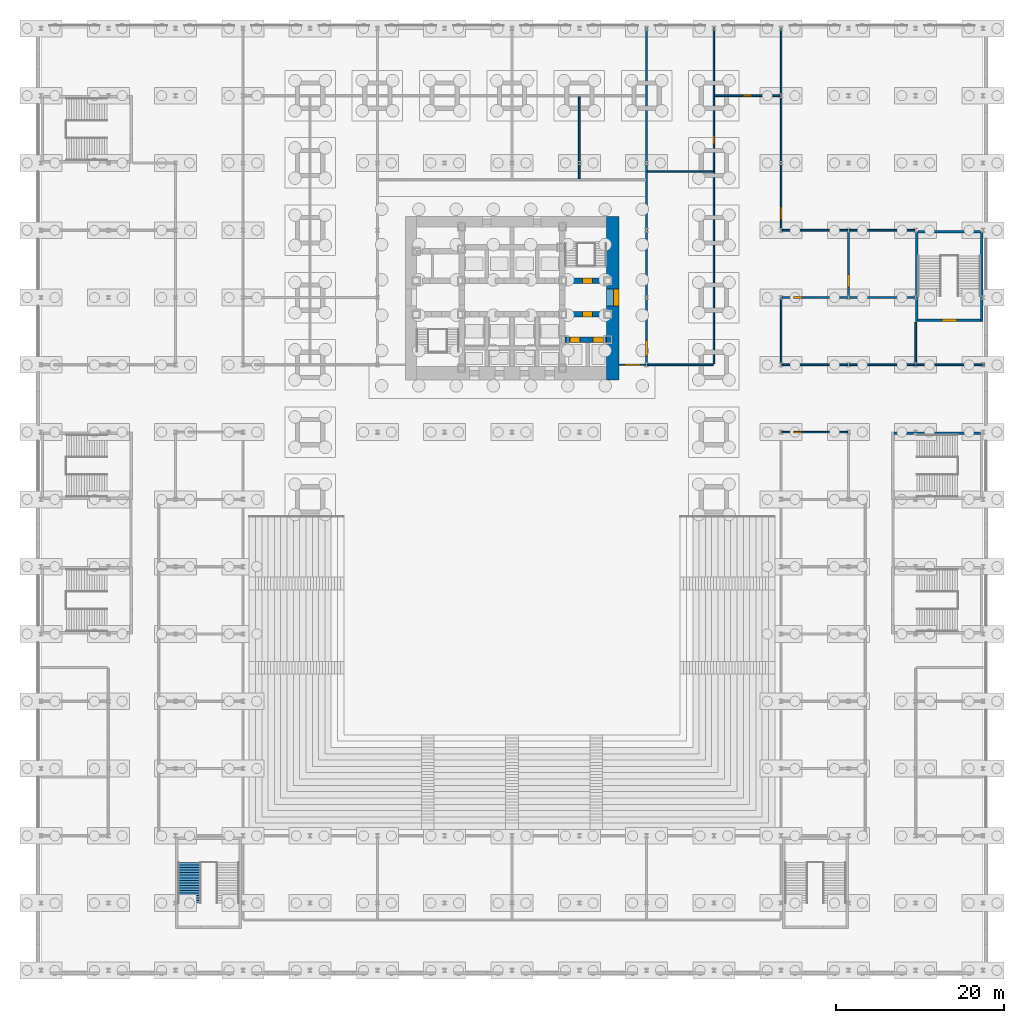
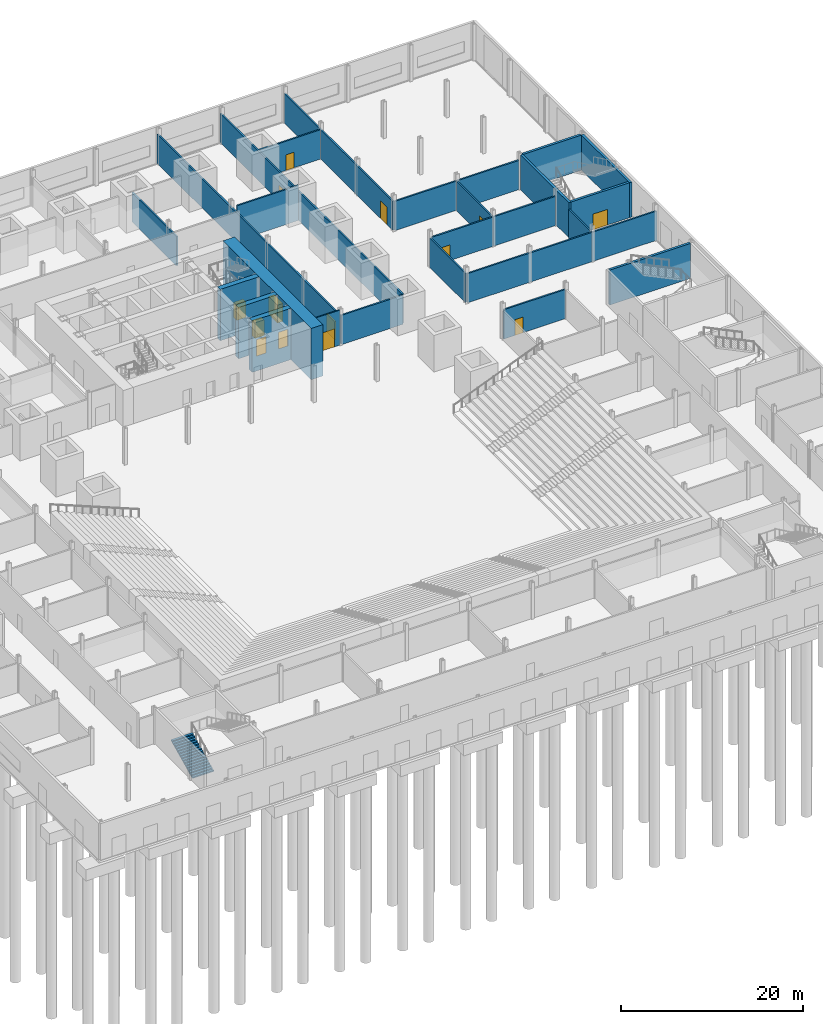
# One storey, part 18 of 24: 26 walls, 14 doors, 1 stair flight, 14 openings, 1 element without a shape of its own.
"""IFC4 building model written with IfcOpenShell, lengths in metres."""

from ifc_helpers import new_model, si_unit, direction, frame, frame_2d, origin, place, context, subcontext, project, spatial, polyline, rectangle, outline, extrude, material, layer, layer_set, type_object, element, fill, aggregate, save


model = new_model("IFC4")

# Units and contexts
model_context = context("Model", 3, precision=1e-05, world=origin(), true_north=direction((0.0, 1.0)))
body_context = subcontext(model_context, "Body", "Model", "MODEL_VIEW")
ifc_project = project(units=[si_unit("LENGTHUNIT", "METRE"), si_unit("AREAUNIT", "SQUARE_METRE"), si_unit("VOLUMEUNIT", "CUBIC_METRE"), si_unit("PLANEANGLEUNIT", "RADIAN"), si_unit("MASSUNIT", "GRAM", prefix="KILO")], contexts=[model_context])

# Site, building, storey
site_placement = place(None, origin())
site = spatial("IfcSite", under=ifc_project, at=site_placement, CompositionType="ELEMENT")
building_placement = place(site_placement, origin())
building = spatial("IfcBuilding", under=site, at=building_placement, Name="Daluyong Arena Tower", CompositionType="ELEMENT")
storey_placement = place(building_placement, origin())
storey = spatial("IfcBuildingStorey", under=building, at=storey_placement, Name="L00", CompositionType="ELEMENT", Elevation=0.0)

# Wall, openings, doors
ifc_material_1 = material(Name="Concrete fc' 60 MPa", Category="concrete")
ifc_layer_1 = layer(ifc_material_1, 0.64990234375)
ifc_layer_set_1 = layer_set([ifc_layer_1], Name="Concrete fc' 60 MPa")
wall_type_1 = type_object("IfcWallType", Name="Core inner wall 650", PredefinedType="SHEAR", material=ifc_layer_set_1)
wall_1_placement = place(storey_placement, frame((62.324951171875, 75.0, -2.0), z_axis=(0.0, 0.0, 1.0), x_axis=(1.0, 0.0, 0.0)))
wall_1 = element("IfcWall", 1, at=wall_1_placement, inside=storey, type_object=wall_type_1, Name="core inner wall at L00", PredefinedType="SHEAR", context=body_context, shape_type="SweptSolid", body=[
    extrude(rectangle(XDim=4.925048828125, YDim=0.64990234375, at=frame_2d((2.46240234375, 0.0))), origin(), (0.0, 0.0, 1.0), 6.89990234375),
])
opening_1_placement = place(wall_1_placement, frame((0.574951171875, 0.0, 2.0)))
opening_1 = element("IfcOpeningElement", 2, at=opening_1_placement, cuts=wall_1, Name="Opening 00025", PredefinedType="OPENING", context=body_context, shape_type="SweptSolid", body=[
    extrude(rectangle(XDim=1.199951171875, YDim=2.199951171875, at=frame_2d((0.60009765625, 1.10009765625))), frame((0.0, 0.3349609375, 0.0), z_axis=(0.0, -1.0, 0.0), x_axis=(1.0, 0.0, 0.0)), (0.0, 0.0, 1.0), 0.669921875),
])
opening_2_placement = place(wall_1_placement, frame((3.324951171875, 0.0, 2.0)))
opening_2 = element("IfcOpeningElement", 3, at=opening_2_placement, cuts=wall_1, Name="Opening 00026", PredefinedType="OPENING", context=body_context, shape_type="SweptSolid", body=[
    extrude(rectangle(XDim=1.199951171875, YDim=2.199951171875, at=frame_2d((0.60009765625, 1.10009765625))), frame((0.0, 0.3349609375, 0.0), z_axis=(0.0, -1.0, 0.0), x_axis=(1.0, 0.0, 0.0)), (0.0, 0.0, 1.0), 0.669921875),
])
ifc_material_2 = material(Name="Steel door, fire rated", Category="steel")
door_type_1 = type_object("IfcDoorType", Name="Firefighting lift landing door 1200", OperationType="SLIDING_TO_LEFT", PredefinedType="DOOR", material=ifc_material_2)
door_1_placement = place(opening_1_placement, origin())
door_1 = element("IfcDoor", 4, at=door_1_placement, inside=storey, type_object=door_type_1, Name="firefighting lift landing door F1 00025", OperationType="SLIDING_TO_LEFT", OverallHeight=2.199951171875, OverallWidth=1.199951171875, PredefinedType="DOOR", context=body_context, shape_type="SweptSolid", body=[
    extrude(rectangle(XDim=1.199951171875, YDim=2.199951171875, at=frame_2d((0.60009765625, 1.10009765625))), frame((0.0, 0.32470703125, 0.0), z_axis=(0.0, -1.0, 0.0), x_axis=(1.0, 0.0, 0.0)), (0.0, 0.0, 1.0), 0.6494140625),
])
fill(opening_1, door_1)
door_2_placement = place(opening_2_placement, origin())
door_2 = element("IfcDoor", 5, at=door_2_placement, inside=storey, type_object=door_type_1, Name="firefighting lift landing door F2 00026", OperationType="SLIDING_TO_LEFT", OverallHeight=2.199951171875, OverallWidth=1.199951171875, PredefinedType="DOOR", context=body_context, shape_type="SweptSolid", body=[
    extrude(rectangle(XDim=1.199951171875, YDim=2.199951171875, at=frame_2d((0.60009765625, 1.10009765625))), frame((0.0, 0.32470703125, 0.0), z_axis=(0.0, -1.0, 0.0), x_axis=(1.0, 0.0, 0.0)), (0.0, 0.0, 1.0), 0.6494140625),
])
fill(opening_2, door_2)

# Wall, opening, door
wall_2_placement = place(storey_placement, frame((62.324951171875, 78.0, -2.0), z_axis=(0.0, 0.0, 1.0), x_axis=(1.0, 0.0, 0.0)))
wall_2 = element("IfcWall", 6, at=wall_2_placement, inside=storey, type_object=wall_type_1, Name="core inner wall at L00", PredefinedType="SHEAR", context=body_context, shape_type="SweptSolid", body=[
    extrude(rectangle(XDim=4.925048828125, YDim=0.64990234375, at=frame_2d((2.46240234375, 0.0))), origin(), (0.0, 0.0, 1.0), 6.89990234375),
])
opening_3_placement = place(wall_2_placement, frame((2.074951171875, 0.0, 2.0)))
opening_3 = element("IfcOpeningElement", 7, at=opening_3_placement, cuts=wall_2, Name="Opening 00012", PredefinedType="OPENING", context=body_context, shape_type="SweptSolid", body=[
    extrude(rectangle(XDim=1.199951171875, YDim=2.10009765625, at=frame_2d((0.60009765625, 1.050048828125))), frame((0.0, 0.3349609375, 0.0), z_axis=(0.0, -1.0, 0.0), x_axis=(1.0, 0.0, 0.0)), (0.0, 0.0, 1.0), 0.669921875),
])
ifc_material_3 = material(Name="Steel door, fire rated", Category="steel")
door_type_2 = type_object("IfcDoorType", Name="Firefighting lobby door 1200", OperationType="SINGLE_SWING_RIGHT", PredefinedType="DOOR", material=ifc_material_3)
door_3_placement = place(opening_3_placement, origin())
door_3 = element("IfcDoor", 8, at=door_3_placement, inside=storey, type_object=door_type_2, Name="firefighting lobby door 00012", OperationType="SINGLE_SWING_RIGHT", OverallHeight=2.10009765625, OverallWidth=1.199951171875, PredefinedType="DOOR", context=body_context, shape_type="SweptSolid", body=[
    extrude(rectangle(XDim=1.199951171875, YDim=2.10009765625, at=frame_2d((0.60009765625, 1.050048828125))), frame((0.0, 0.32470703125, 0.0), z_axis=(0.0, -1.0, 0.0), x_axis=(1.0, 0.0, 0.0)), (0.0, 0.0, 1.0), 0.6494140625),
])
fill(opening_3, door_3)

wall_3_placement = place(storey_placement, frame((62.324951171875, 82.0, -2.0), z_axis=(0.0, 0.0, 1.0), x_axis=(1.0, 0.0, 0.0)))
wall_3 = element("IfcWall", 9, at=wall_3_placement, inside=storey, type_object=wall_type_1, Name="core inner wall at L00", PredefinedType="SHEAR", context=body_context, shape_type="SweptSolid", body=[
    extrude(rectangle(XDim=4.925048828125, YDim=0.64990234375, at=frame_2d((2.46240234375, 0.0))), origin(), (0.0, 0.0, 1.0), 6.89990234375),
])
opening_4_placement = place(wall_3_placement, frame((2.074951171875, 0.0, 2.0)))
opening_4 = element("IfcOpeningElement", 10, at=opening_4_placement, cuts=wall_3, Name="Opening 00007", PredefinedType="OPENING", context=body_context, shape_type="SweptSolid", body=[
    extrude(rectangle(XDim=1.199951171875, YDim=2.10009765625, at=frame_2d((0.60009765625, 1.050048828125))), frame((0.0, 0.3349609375, 0.0), z_axis=(0.0, -1.0, 0.0), x_axis=(1.0, 0.0, 0.0)), (0.0, 0.0, 1.0), 0.669921875),
])
ifc_material_4 = material(Name="Steel door, fire rated", Category="steel")
door_type_3 = type_object("IfcDoorType", Name="Stair door 1200", OperationType="SINGLE_SWING_LEFT", PredefinedType="DOOR", material=ifc_material_4)
door_4_placement = place(opening_4_placement, origin())
door_4 = element("IfcDoor", 11, at=door_4_placement, inside=storey, type_object=door_type_3, Name="stair B door 00007", OperationType="SINGLE_SWING_LEFT", OverallHeight=2.10009765625, OverallWidth=1.199951171875, PredefinedType="DOOR", context=body_context, shape_type="SweptSolid", body=[
    extrude(rectangle(XDim=1.199951171875, YDim=2.10009765625, at=frame_2d((0.60009765625, 1.050048828125))), frame((0.0, 0.32470703125, 0.0), z_axis=(0.0, -1.0, 0.0), x_axis=(1.0, 0.0, 0.0)), (0.0, 0.0, 1.0), 0.6494140625),
])
fill(opening_4, door_4)

ifc_material_5 = material(Name="Concrete fc' 60 MPa", Category="concrete")
ifc_layer_2 = layer(ifc_material_5, 1.5)
ifc_layer_set_2 = layer_set([ifc_layer_2], Name="Concrete fc' 60 MPa")
wall_type_2 = type_object("IfcWallType", Name="Core wall 1500", PredefinedType="SHEAR", material=ifc_layer_set_2)
wall_4_placement = place(storey_placement, frame((68.0, 70.199951171875, -2.0), z_axis=(0.0, 0.0, 1.0), x_axis=(0.0, 1.0, 0.0)))
wall_4 = element("IfcWall", 12, at=wall_4_placement, inside=storey, type_object=wall_type_2, Name="core wall at L00", PredefinedType="SHEAR", context=body_context, shape_type="SweptSolid", body=[
    extrude(rectangle(XDim=19.43994140625, YDim=1.5, at=frame_2d((9.719970703125, 0.0))), origin(), (0.0, 0.0, 1.0), 6.89990234375),
])
opening_5_placement = place(wall_4_placement, frame((8.800048828125, 0.0, 2.0)))
opening_5 = element("IfcOpeningElement", 13, at=opening_5_placement, cuts=wall_4, Name="Opening 00009", PredefinedType="OPENING", context=body_context, shape_type="SweptSolid", body=[
    extrude(rectangle(XDim=2.0, YDim=2.39990234375, at=frame_2d((1.0, 1.199951171875))), frame((0.0, 0.760009765625, 0.0), z_axis=(0.0, -1.0, 0.0), x_axis=(1.0, 0.0, 0.0)), (0.0, 0.0, 1.0), 1.52001953125),
])
ifc_material_6 = material(Name="Steel door, fire rated", Category="steel")
door_type_4 = type_object("IfcDoorType", Name="Core lobby double door 2000", OperationType="DOUBLE_DOOR_SINGLE_SWING", PredefinedType="DOOR", material=ifc_material_6)
door_5_placement = place(opening_5_placement, origin())
door_5 = element("IfcDoor", 14, at=door_5_placement, inside=storey, type_object=door_type_4, Name="core lobby door east 00009", OperationType="DOUBLE_DOOR_SINGLE_SWING", OverallHeight=2.39990234375, OverallWidth=2.0, PredefinedType="DOOR", context=body_context, shape_type="SweptSolid", body=[
    extrude(rectangle(XDim=2.0, YDim=2.39990234375, at=frame_2d((1.0, 1.199951171875))), frame((0.0, -0.0498046875, 0.0), z_axis=(0.0, -1.0, 0.0), x_axis=(1.0, 0.0, 0.0)), (0.0, 0.0, 1.0), 0.699951171875),
])
fill(opening_5, door_5)

# Walls
ifc_material_7 = material(Name="Concrete block partition, fire rated", Category="concrete")
ifc_layer_3 = layer(ifc_material_7, 0.199951171875)
ifc_layer_set_3 = layer_set([ifc_layer_3], Name="Concrete block partition, fire rated")
wall_type_3 = type_object("IfcWallType", Name="Fire-rated partition 200", PredefinedType="PARTITIONING", material=ifc_layer_set_3)
wall_5_placement = place(storey_placement, frame((96.0, 80.0, 0.0), z_axis=(0.0, 0.0, 1.0), x_axis=(1.0, 0.0, 0.0)))
element("IfcWall", 15, at=wall_5_placement, inside=storey, type_object=wall_type_3, Name="fire-rated partition at L00", PredefinedType="PARTITIONING", context=body_context, shape_type="SweptSolid", body=[
    extrude(rectangle(XDim=7.89990234375, YDim=0.199951171875, at=frame_2d((3.949951171875, 0.0))), origin(), (0.0, 0.0, 1.0), 3.927734375),
])
wall_6_placement = place(storey_placement, frame((88.10009765625, 88.0, 0.0), z_axis=(0.0, 0.0, 1.0), x_axis=(1.0, 0.0, 0.0)))
element("IfcWall", 16, at=wall_6_placement, inside=storey, type_object=wall_type_3, Name="fire-rated partition at L00", PredefinedType="PARTITIONING", context=body_context, shape_type="SweptSolid", body=[
    extrude(rectangle(XDim=15.7998046875, YDim=0.199951171875, at=frame_2d((7.89990234375, 0.0))), origin(), (0.0, 0.0, 1.0), 3.927734375),
])

# Wall, opening, door
wall_7_placement = place(storey_placement, frame((88.0, 88.10009765625, 0.0), z_axis=(0.0, 0.0, 1.0), x_axis=(0.0, 1.0, 0.0)))
wall_7 = element("IfcWall", 17, at=wall_7_placement, inside=storey, type_object=wall_type_3, Name="fire-rated partition at L00", PredefinedType="PARTITIONING", context=body_context, shape_type="SweptSolid", body=[
    extrude(rectangle(XDim=23.89990234375, YDim=0.199951171875, at=frame_2d((11.949951171875, 0.0))), origin(), (0.0, 0.0, 1.0), 3.927734375),
])
opening_6_placement = place(wall_7_placement, frame((1.14990234375, 0.0, 0.0)))
opening_6 = element("IfcOpeningElement", 18, at=opening_6_placement, cuts=wall_7, Name="Opening 00045", PredefinedType="OPENING", context=body_context, shape_type="SweptSolid", body=[
    extrude(rectangle(XDim=1.5, YDim=2.39990234375, at=frame_2d((0.75, 1.199951171875))), frame((0.0, 0.10986328125, 0.0), z_axis=(0.0, -1.0, 0.0), x_axis=(1.0, 0.0, 0.0)), (0.0, 0.0, 1.0), 0.219970703125),
])
ifc_material_8 = material(Name="Steel door, fire rated", Category="steel")
door_type_5 = type_object("IfcDoorType", Name="Plant room door 1500", OperationType="DOUBLE_DOOR_SINGLE_SWING", PredefinedType="DOOR", material=ifc_material_8)
door_6_placement = place(opening_6_placement, origin())
door_6 = element("IfcDoor", 19, at=door_6_placement, inside=storey, type_object=door_type_5, Name="loading dock door 00045", OperationType="DOUBLE_DOOR_SINGLE_SWING", OverallHeight=2.39990234375, OverallWidth=1.5, PredefinedType="DOOR", context=body_context, shape_type="SweptSolid", body=[
    extrude(rectangle(XDim=1.5, YDim=2.39990234375, at=frame_2d((0.75, 1.199951171875))), frame((0.0, 0.099609375, 0.0), z_axis=(0.0, -1.0, 0.0), x_axis=(1.0, 0.0, 0.0)), (0.0, 0.0, 1.0), 0.199462890625),
])
fill(opening_6, door_6)

wall_8_placement = place(storey_placement, frame((96.0, 80.10009765625, 0.0), z_axis=(0.0, 0.0, 1.0), x_axis=(0.0, 1.0, 0.0)))
wall_8 = element("IfcWall", 20, at=wall_8_placement, inside=storey, type_object=wall_type_3, Name="fire-rated partition at L00", PredefinedType="PARTITIONING", context=body_context, shape_type="SweptSolid", body=[
    extrude(rectangle(XDim=7.7998046875, YDim=0.199951171875, at=frame_2d((3.89990234375, 0.0))), origin(), (0.0, 0.0, 1.0), 3.927734375),
])
opening_7_placement = place(wall_8_placement, frame((1.14990234375, 0.0, 0.0)))
opening_7 = element("IfcOpeningElement", 21, at=opening_7_placement, cuts=wall_8, Name="Opening 00049", PredefinedType="OPENING", context=body_context, shape_type="SweptSolid", body=[
    extrude(rectangle(XDim=1.5, YDim=2.39990234375, at=frame_2d((0.75, 1.199951171875))), frame((0.0, 0.10986328125, 0.0), z_axis=(0.0, -1.0, 0.0), x_axis=(1.0, 0.0, 0.0)), (0.0, 0.0, 1.0), 0.219970703125),
])
door_7_placement = place(opening_7_placement, origin())
door_7 = element("IfcDoor", 22, at=door_7_placement, inside=storey, type_object=door_type_5, Name="electrical switch room door 00049", OperationType="DOUBLE_DOOR_SINGLE_SWING", OverallHeight=2.39990234375, OverallWidth=1.5, PredefinedType="DOOR", context=body_context, shape_type="SweptSolid", body=[
    extrude(rectangle(XDim=1.5, YDim=2.39990234375, at=frame_2d((0.75, 1.199951171875))), frame((0.0, 0.099609375, 0.0), z_axis=(0.0, -1.0, 0.0), x_axis=(1.0, 0.0, 0.0)), (0.0, 0.0, 1.0), 0.199462890625),
])
fill(opening_7, door_7)

# Wall
wall_9_placement = place(storey_placement, frame((103.89990234375, 72.0, 0.0), z_axis=(0.0, 0.0, 1.0), x_axis=(1.0, 0.0, 0.0)))
element("IfcWall", 23, at=wall_9_placement, inside=storey, type_object=wall_type_3, Name="exit passage PS6 partition at L00", PredefinedType="PARTITIONING", context=body_context, shape_type="SweptSolid", body=[
    extrude(rectangle(XDim=8.25, YDim=0.199951171875, at=frame_2d((4.125, 0.0))), origin(), (0.0, 0.0, 1.0), 3.927734375),
])

# Wall, opening, door
ifc_material_9 = material(Name="Glazed aluminium partition", Category="aluminium")
ifc_layer_4 = layer(ifc_material_9, 0.14990234375)
ifc_layer_set_4 = layer_set([ifc_layer_4], Name="Glazed aluminium partition")
wall_type_4 = type_object("IfcWallType", Name="Glazed partition 150", PredefinedType="PARTITIONING", material=ifc_layer_set_4)
wall_10_placement = place(storey_placement, frame((68.75, 72.0, 0.0), z_axis=(0.0, 0.0, 1.0), x_axis=(1.0, 0.0, 0.0)))
wall_10 = element("IfcWall", 24, at=wall_10_placement, inside=storey, type_object=wall_type_4, Name="tower lobby entrance screen at L00", PredefinedType="PARTITIONING", context=body_context, shape_type="SweptSolid", body=[
    extrude(rectangle(XDim=3.14990234375, YDim=0.14990234375, at=frame_2d((1.574951171875, 0.0))), origin(), (0.0, 0.0, 1.0), 4.699951171875),
])
opening_8_placement = place(wall_10_placement, frame((0.675048828125, 0.0, 0.0)))
opening_8 = element("IfcOpeningElement", 25, at=opening_8_placement, cuts=wall_10, Name="Opening 00080", PredefinedType="OPENING", context=body_context, shape_type="SweptSolid", body=[
    extrude(rectangle(XDim=1.800048828125, YDim=2.39990234375, at=frame_2d((0.89990234375, 1.199951171875))), frame((0.0, 0.0849609375, 0.0), z_axis=(0.0, -1.0, 0.0), x_axis=(1.0, 0.0, 0.0)), (0.0, 0.0, 1.0), 0.169921875),
])
ifc_material_10 = material(Name="Timber door", Category="wood")
door_type_6 = type_object("IfcDoorType", Name="Assembly double door 1800", OperationType="DOUBLE_DOOR_DOUBLE_SWING", PredefinedType="DOOR", material=ifc_material_10)
door_8_placement = place(opening_8_placement, origin())
door_8 = element("IfcDoor", 26, at=door_8_placement, inside=storey, type_object=door_type_6, Name="tower lobby entrance door 00080", OperationType="DOUBLE_DOOR_DOUBLE_SWING", OverallHeight=2.39990234375, OverallWidth=1.800048828125, PredefinedType="DOOR", context=body_context, shape_type="SweptSolid", body=[
    extrude(rectangle(XDim=1.800048828125, YDim=2.39990234375, at=frame_2d((0.89990234375, 1.199951171875))), frame((0.0, 0.07470703125, 0.0), z_axis=(0.0, -1.0, 0.0), x_axis=(1.0, 0.0, 0.0)), (0.0, 0.0, 1.0), 0.1494140625),
])
fill(opening_8, door_8)

ifc_material_11 = material(Name="Concrete block partition", Category="concrete")
ifc_layer_5 = layer(ifc_material_11, 0.199951171875)
ifc_layer_set_5 = layer_set([ifc_layer_5], Name="Concrete block partition")
wall_type_5 = type_object("IfcWallType", Name="Partition 200", PredefinedType="PARTITIONING", material=ifc_layer_set_5)
wall_11_placement = place(storey_placement, frame((88.10009765625, 64.0, 0.0), z_axis=(0.0, 0.0, 1.0), x_axis=(1.0, 0.0, 0.0)))
wall_11 = element("IfcWall", 27, at=wall_11_placement, inside=storey, type_object=wall_type_5, Name="partition at L00", PredefinedType="PARTITIONING", context=body_context, shape_type="SweptSolid", body=[
    extrude(rectangle(XDim=7.7998046875, YDim=0.199951171875, at=frame_2d((3.89990234375, 0.0))), origin(), (0.0, 0.0, 1.0), 3.927734375),
])
opening_9_placement = place(wall_11_placement, frame((1.39990234375, 0.0, 0.0)))
opening_9 = element("IfcOpeningElement", 28, at=opening_9_placement, cuts=wall_11, Name="Opening 00048", PredefinedType="OPENING", context=body_context, shape_type="SweptSolid", body=[
    extrude(rectangle(XDim=1.0, YDim=2.10009765625, at=frame_2d((0.5, 1.050048828125))), frame((0.0, 0.10986328125, 0.0), z_axis=(0.0, -1.0, 0.0), x_axis=(1.0, 0.0, 0.0)), (0.0, 0.0, 1.0), 0.219970703125),
])
ifc_material_12 = material(Name="Timber door", Category="wood")
door_type_7 = type_object("IfcDoorType", Name="Room door 1000", OperationType="SINGLE_SWING_LEFT", PredefinedType="DOOR", material=ifc_material_12)
door_9_placement = place(opening_9_placement, origin())
door_9 = element("IfcDoor", 29, at=door_9_placement, inside=storey, type_object=door_type_7, Name="stage back of house door 00048", OperationType="SINGLE_SWING_LEFT", OverallHeight=2.10009765625, OverallWidth=1.0, PredefinedType="DOOR", context=body_context, shape_type="SweptSolid", body=[
    extrude(rectangle(XDim=1.0, YDim=2.10009765625, at=frame_2d((0.5, 1.050048828125))), frame((0.0, 0.099609375, 0.0), z_axis=(0.0, -1.0, 0.0), x_axis=(1.0, 0.0, 0.0)), (0.0, 0.0, 1.0), 0.199462890625),
])
fill(opening_9, door_9)

# Walls
wall_12_placement = place(storey_placement, frame((72.10009765625, 72.0, 0.0), z_axis=(0.0, 0.0, 1.0), x_axis=(1.0, 0.0, 0.0)))
element("IfcWall", 30, at=wall_12_placement, inside=storey, type_object=wall_type_5, Name="partition at L00", PredefinedType="PARTITIONING", context=body_context, shape_type="SweptSolid", body=[
    extrude(rectangle(XDim=7.7998046875, YDim=0.199951171875, at=frame_2d((3.89990234375, 0.0))), origin(), (0.0, 0.0, 1.0), 3.927734375),
])
wall_13_placement = place(storey_placement, frame((88.10009765625, 72.0, 0.0), z_axis=(0.0, 0.0, 1.0), x_axis=(1.0, 0.0, 0.0)))
element("IfcWall", 31, at=wall_13_placement, inside=storey, type_object=wall_type_5, Name="partition at L00", PredefinedType="PARTITIONING", context=body_context, shape_type="SweptSolid", body=[
    extrude(rectangle(XDim=15.7998046875, YDim=0.199951171875, at=frame_2d((7.89990234375, 0.0))), origin(), (0.0, 0.0, 1.0), 3.927734375),
])

# Wall, opening, door
wall_14_placement = place(storey_placement, frame((88.10009765625, 80.0, 0.0), z_axis=(0.0, 0.0, 1.0), x_axis=(1.0, 0.0, 0.0)))
wall_14 = element("IfcWall", 32, at=wall_14_placement, inside=storey, type_object=wall_type_5, Name="partition at L00", PredefinedType="PARTITIONING", context=body_context, shape_type="SweptSolid", body=[
    extrude(rectangle(XDim=7.89990234375, YDim=0.199951171875, at=frame_2d((3.949951171875, 0.0))), origin(), (0.0, 0.0, 1.0), 3.927734375),
])
opening_10_placement = place(wall_14_placement, frame((1.39990234375, 0.0, 0.0)))
opening_10 = element("IfcOpeningElement", 33, at=opening_10_placement, cuts=wall_14, Name="Opening 00047", PredefinedType="OPENING", context=body_context, shape_type="SweptSolid", body=[
    extrude(rectangle(XDim=1.0, YDim=2.10009765625, at=frame_2d((0.5, 1.050048828125))), frame((0.0, 0.10986328125, 0.0), z_axis=(0.0, -1.0, 0.0), x_axis=(1.0, 0.0, 0.0)), (0.0, 0.0, 1.0), 0.219970703125),
])
door_10_placement = place(opening_10_placement, origin())
door_10 = element("IfcDoor", 34, at=door_10_placement, inside=storey, type_object=door_type_7, Name="event store door 00047", OperationType="SINGLE_SWING_LEFT", OverallHeight=2.10009765625, OverallWidth=1.0, PredefinedType="DOOR", context=body_context, shape_type="SweptSolid", body=[
    extrude(rectangle(XDim=1.0, YDim=2.10009765625, at=frame_2d((0.5, 1.050048828125))), frame((0.0, 0.099609375, 0.0), z_axis=(0.0, -1.0, 0.0), x_axis=(1.0, 0.0, 0.0)), (0.0, 0.0, 1.0), 0.199462890625),
])
fill(opening_10, door_10)

# Wall
wall_15_placement = place(storey_placement, frame((72.10009765625, 95.0, 0.0), z_axis=(0.0, 0.0, 1.0), x_axis=(1.0, 0.0, 0.0)))
element("IfcWall", 35, at=wall_15_placement, inside=storey, type_object=wall_type_5, Name="partition at L00", PredefinedType="PARTITIONING", context=body_context, shape_type="SweptSolid", body=[
    extrude(rectangle(XDim=7.7998046875, YDim=0.199951171875, at=frame_2d((3.89990234375, 0.0))), origin(), (0.0, 0.0, 1.0), 4.699951171875),
])

# Wall, opening, door
wall_16_placement = place(storey_placement, frame((80.10009765625, 104.0, 0.0), z_axis=(0.0, 0.0, 1.0), x_axis=(1.0, 0.0, 0.0)))
wall_16 = element("IfcWall", 36, at=wall_16_placement, inside=storey, type_object=wall_type_5, Name="partition at L00", PredefinedType="PARTITIONING", context=body_context, shape_type="SweptSolid", body=[
    extrude(rectangle(XDim=7.7998046875, YDim=0.199951171875, at=frame_2d((3.89990234375, 0.0))), origin(), (0.0, 0.0, 1.0), 3.927734375),
])
opening_11_placement = place(wall_16_placement, frame((3.39990234375, 0.0, 0.0)))
opening_11 = element("IfcOpeningElement", 37, at=opening_11_placement, cuts=wall_16, Name="Opening 00046", PredefinedType="OPENING", context=body_context, shape_type="SweptSolid", body=[
    extrude(rectangle(XDim=1.0, YDim=2.10009765625, at=frame_2d((0.5, 1.050048828125))), frame((0.0, 0.10986328125, 0.0), z_axis=(0.0, -1.0, 0.0), x_axis=(1.0, 0.0, 0.0)), (0.0, 0.0, 1.0), 0.219970703125),
])
door_11_placement = place(opening_11_placement, origin())
door_11 = element("IfcDoor", 38, at=door_11_placement, inside=storey, type_object=door_type_7, Name="refuse store door 00046", OperationType="SINGLE_SWING_LEFT", OverallHeight=2.10009765625, OverallWidth=1.0, PredefinedType="DOOR", context=body_context, shape_type="SweptSolid", body=[
    extrude(rectangle(XDim=1.0, YDim=2.10009765625, at=frame_2d((0.5, 1.050048828125))), frame((0.0, 0.099609375, 0.0), z_axis=(0.0, -1.0, 0.0), x_axis=(1.0, 0.0, 0.0)), (0.0, 0.0, 1.0), 0.199462890625),
])
fill(opening_11, door_11)

# Wall
wall_17_placement = place(storey_placement, frame((64.0, 94.10009765625, 0.0), z_axis=(0.0, 0.0, 1.0), x_axis=(0.0, 1.0, 0.0)))
element("IfcWall", 39, at=wall_17_placement, inside=storey, type_object=wall_type_5, Name="partition at L00", PredefinedType="PARTITIONING", context=body_context, shape_type="SweptSolid", body=[
    extrude(rectangle(XDim=9.7998046875, YDim=0.199951171875, at=frame_2d((4.89990234375, 0.0))), origin(), (0.0, 0.0, 1.0), 3.927734375),
])

# Wall, opening, door
wall_18_placement = place(storey_placement, frame((72.0, 72.10009765625, 0.0), z_axis=(0.0, 0.0, 1.0), x_axis=(0.0, 1.0, 0.0)))
wall_18 = element("IfcWall", 40, at=wall_18_placement, inside=storey, type_object=wall_type_5, Name="partition at L00", PredefinedType="PARTITIONING", context=body_context, shape_type="SweptSolid", body=[
    extrude(rectangle(XDim=40.0498046875, YDim=0.199951171875, at=frame_2d((20.02490234375, 0.0))), origin(), (0.0, 0.0, 1.0), 3.927734375),
])
opening_12_placement = place(wall_18_placement, frame((1.0, 0.0, 0.0)))
opening_12 = element("IfcOpeningElement", 41, at=opening_12_placement, cuts=wall_18, Name="Opening 00073", PredefinedType="OPENING", context=body_context, shape_type="SweptSolid", body=[
    extrude(rectangle(XDim=1.800048828125, YDim=2.39990234375, at=frame_2d((0.89990234375, 1.199951171875))), frame((0.0, 0.10986328125, 0.0), z_axis=(0.0, -1.0, 0.0), x_axis=(1.0, 0.0, 0.0)), (0.0, 0.0, 1.0), 0.219970703125),
])
door_12_placement = place(opening_12_placement, origin())
door_12 = element("IfcDoor", 42, at=door_12_placement, inside=storey, type_object=door_type_6, Name="arena bar door 00073", OperationType="DOUBLE_DOOR_DOUBLE_SWING", OverallHeight=2.39990234375, OverallWidth=1.800048828125, PredefinedType="DOOR", context=body_context, shape_type="SweptSolid", body=[
    extrude(rectangle(XDim=1.800048828125, YDim=2.39990234375, at=frame_2d((0.89990234375, 1.199951171875))), frame((0.0, 0.099609375, 0.0), z_axis=(0.0, -1.0, 0.0), x_axis=(1.0, 0.0, 0.0)), (0.0, 0.0, 1.0), 0.199462890625),
])
fill(opening_12, door_12)

wall_19_placement = place(storey_placement, frame((80.0, 72.10009765625, 0.0), z_axis=(0.0, 0.0, 1.0), x_axis=(0.0, 1.0, 0.0)))
wall_19 = element("IfcWall", 43, at=wall_19_placement, inside=storey, type_object=wall_type_5, Name="partition at L00", PredefinedType="PARTITIONING", context=body_context, shape_type="SweptSolid", body=[
    extrude(rectangle(XDim=40.0498046875, YDim=0.199951171875, at=frame_2d((20.02490234375, 0.0))), origin(), (0.0, 0.0, 1.0), 3.927734375),
])
opening_13_placement = place(wall_19_placement, frame((26.14990234375, 0.0, 0.0)))
opening_13 = element("IfcOpeningElement", 44, at=opening_13_placement, cuts=wall_19, Name="Opening 00074", PredefinedType="OPENING", context=body_context, shape_type="SweptSolid", body=[
    extrude(rectangle(XDim=1.0, YDim=2.10009765625, at=frame_2d((0.5, 1.050048828125))), frame((0.0, 0.10986328125, 0.0), z_axis=(0.0, -1.0, 0.0), x_axis=(1.0, 0.0, 0.0)), (0.0, 0.0, 1.0), 0.219970703125),
])
door_13_placement = place(opening_13_placement, origin())
door_13 = element("IfcDoor", 45, at=door_13_placement, inside=storey, type_object=door_type_7, Name="restaurant kitchen door 00074", OperationType="SINGLE_SWING_LEFT", OverallHeight=2.10009765625, OverallWidth=1.0, PredefinedType="DOOR", context=body_context, shape_type="SweptSolid", body=[
    extrude(rectangle(XDim=1.0, YDim=2.10009765625, at=frame_2d((0.5, 1.050048828125))), frame((0.0, 0.099609375, 0.0), z_axis=(0.0, -1.0, 0.0), x_axis=(1.0, 0.0, 0.0)), (0.0, 0.0, 1.0), 0.199462890625),
])
fill(opening_13, door_13)

# Walls
wall_20_placement = place(storey_placement, frame((88.0, 72.10009765625, 0.0), z_axis=(0.0, 0.0, 1.0), x_axis=(0.0, 1.0, 0.0)))
element("IfcWall", 46, at=wall_20_placement, inside=storey, type_object=wall_type_5, Name="partition at L00", PredefinedType="PARTITIONING", context=body_context, shape_type="SweptSolid", body=[
    extrude(rectangle(XDim=7.7998046875, YDim=0.199951171875, at=frame_2d((3.89990234375, 0.0))), origin(), (0.0, 0.0, 1.0), 3.927734375),
])
wall_21_placement = place(storey_placement, frame((104.0, 72.10009765625, 0.0), z_axis=(0.0, 0.0, 1.0), x_axis=(0.0, 1.0, 0.0)))
element("IfcWall", 47, at=wall_21_placement, inside=storey, type_object=wall_type_5, Name="partition at L00", PredefinedType="PARTITIONING", context=body_context, shape_type="SweptSolid", body=[
    extrude(rectangle(XDim=4.949951171875, YDim=0.199951171875, at=frame_2d((2.47509765625, 0.0))), origin(), (0.0, 0.0, 1.0), 3.927734375),
])
ifc_material_13 = material(Name="Concrete fc' 35 MPa", Category="concrete")
ifc_layer_6 = layer(ifc_material_13, 0.300048828125)
ifc_layer_set_6 = layer_set([ifc_layer_6], Name="Concrete fc' 35 MPa")
wall_type_6 = type_object("IfcWallType", Name="Stair enclosure wall 300", PredefinedType="SOLIDWALL", material=ifc_layer_set_6)
for number, where, z_axis, x_axis, name in (
    (48, (104.14990234375, 77.14990234375, 0.0), (0.0, 0.0, 1.0), (0.0, 1.0, 0.0), "exit stair PS6 enclosure"),
    (49, (111.85009765625, 77.14990234375, 0.0), (0.0, 0.0, 1.0), (0.0, 1.0, 0.0), "exit stair PS6 enclosure"),
):
    element("IfcWall", number, at=place(storey_placement, frame(where, z_axis=z_axis, x_axis=x_axis)), inside=storey, type_object=wall_type_6, Name=name, PredefinedType="SOLIDWALL", context=body_context, shape_type="SweptSolid", body=[
        extrude(rectangle(XDim=10.622802734375, YDim=0.300048828125, at=frame_2d((5.3115234375, 0.0))), origin(), (0.0, 0.0, 1.0), 4.699951171875),
    ])

# Wall, opening, door
wall_22_placement = place(storey_placement, frame((104.300048828125, 77.300048828125, 0.0), z_axis=(0.0, 0.0, 1.0), x_axis=(1.0, 0.0, 0.0)))
wall_22 = element("IfcWall", 50, at=wall_22_placement, inside=storey, type_object=wall_type_6, Name="exit stair PS6 enclosure", PredefinedType="SOLIDWALL", context=body_context, shape_type="SweptSolid", body=[
    extrude(rectangle(XDim=7.39990234375, YDim=0.300048828125, at=frame_2d((3.699951171875, 0.0))), origin(), (0.0, 0.0, 1.0), 4.699951171875),
])
opening_14_placement = place(wall_22_placement, frame((2.800048828125, 0.0, 0.0)))
opening_14 = element("IfcOpeningElement", 51, at=opening_14_placement, cuts=wall_22, Name="Opening 00032", PredefinedType="OPENING", context=body_context, shape_type="SweptSolid", body=[
    extrude(rectangle(XDim=1.800048828125, YDim=2.10009765625, at=frame_2d((0.89990234375, 1.050048828125))), frame((0.0, 0.159912109375, 0.0), z_axis=(0.0, -1.0, 0.0), x_axis=(1.0, 0.0, 0.0)), (0.0, 0.0, 1.0), 0.320068359375),
])
ifc_material_14 = material(Name="Steel door, fire rated", Category="steel")
door_type_8 = type_object("IfcDoorType", Name="Exit stair double door 1800", OperationType="DOUBLE_DOOR_SINGLE_SWING", PredefinedType="DOOR", material=ifc_material_14)
door_14_placement = place(opening_14_placement, frame((1.800048828125, 0.0, 0.0), z_axis=(0.0, 0.0, 1.0), x_axis=(-1.0, 0.0, 0.0)))
door_14 = element("IfcDoor", 52, at=door_14_placement, inside=storey, type_object=door_type_8, Name="exit stair PS6 door 00032", OperationType="DOUBLE_DOOR_SINGLE_SWING", OverallHeight=2.10009765625, OverallWidth=1.800048828125, PredefinedType="DOOR", context=body_context, shape_type="SweptSolid", body=[
    extrude(rectangle(XDim=1.800048828125, YDim=2.10009765625, at=frame_2d((0.89990234375, 1.050048828125))), frame((0.0, 0.14990234375, 0.0), z_axis=(0.0, -1.0, 0.0), x_axis=(1.0, 0.0, 0.0)), (0.0, 0.0, 1.0), 0.299560546875),
])
fill(opening_14, door_14)

# Walls
wall_23_placement = place(storey_placement, frame((104.300048828125, 87.85009765625, 0.0), z_axis=(0.0, 0.0, 1.0), x_axis=(1.0, 0.0, 0.0)))
element("IfcWall", 53, at=wall_23_placement, inside=storey, type_object=wall_type_6, Name="exit stair PS6 enclosure", PredefinedType="SOLIDWALL", context=body_context, shape_type="SweptSolid", body=[
    extrude(rectangle(XDim=7.39990234375, YDim=0.300048828125, at=frame_2d((3.699951171875, 0.0))), origin(), (0.0, 0.0, 1.0), 4.699951171875),
])
wall_24_placement = place(storey_placement, frame((101.449951171875, 63.85009765625, 0.0), z_axis=(0.0, 0.0, 1.0), x_axis=(1.0, 0.0, 0.0)))
element("IfcWall", 54, at=wall_24_placement, inside=storey, type_object=wall_type_6, Name="exit stair PS8 enclosure", PredefinedType="SOLIDWALL", context=body_context, shape_type="SweptSolid", body=[
    extrude(rectangle(XDim=10.25, YDim=0.300048828125, at=frame_2d((5.125, 0.0))), origin(), (0.0, 0.0, 1.0), 4.699951171875),
])

# Stair, stair flight
ifc_material_15 = material(Name="Concrete fc' 35 MPa", Category="concrete")
stair_type = type_object("IfcStairType", Name="Podium exit stair", PredefinedType="HALF_TURN_STAIR", material=ifc_material_15)
stair_placement = place(storey_placement, origin())
stair = element("IfcStair", 55, at=stair_placement, inside=storey, type_object=stair_type, Name="exit stair PS1 L00", PredefinedType="HALF_TURN_STAIR")
ifc_material_16 = material(Name="Concrete fc' 35 MPa", Category="concrete")
stair_flight_type = type_object("IfcStairFlightType", Name="Podium stair flight", PredefinedType="STRAIGHT", material=ifc_material_16)
stair_flight_placement = place(storey_placement, frame((17.64990234375, 8.010009765625, 0.0), z_axis=(0.0, 0.0, 1.0), x_axis=(0.0, 1.0, 0.0)))
stair_flight = element("IfcStairFlight", 56, at=stair_flight_placement, type_object=stair_flight_type, Name="PS1 flight 1", NumberOfRisers=17, NumberOfTreads=16, PredefinedType="STRAIGHT", RiserHeight=0.144117647, TreadLength=0.3, context=body_context, shape_type="SweptSolid", body=[
    extrude(outline(polyline([(0.0, 0.0), (0.0, 0.14404296875), (0.300048828125, 0.14404296875), (0.300048828125, 0.288330078125), (0.60009765625, 0.288330078125), (0.60009765625, 0.432373046875), (0.89990234375, 0.432373046875), (0.89990234375, 0.576416015625), (1.199951171875, 0.576416015625), (1.199951171875, 0.720703125), (1.5, 0.720703125), (1.5, 0.86474609375), (1.800048828125, 0.86474609375), (1.800048828125, 1.0087890625), (2.10009765625, 1.0087890625), (2.10009765625, 1.15283203125), (2.39990234375, 1.15283203125), (2.39990234375, 1.297119140625), (2.699951171875, 1.297119140625), (2.699951171875, 1.441162109375), (3.0, 1.441162109375), (3.0, 1.585205078125), (3.300048828125, 1.585205078125), (3.300048828125, 1.7294921875), (3.60009765625, 1.7294921875), (3.60009765625, 1.87353515625), (3.89990234375, 1.87353515625), (3.89990234375, 2.017578125), (4.199951171875, 2.017578125), (4.199951171875, 2.161865234375), (4.5, 2.161865234375), (4.5, 2.305908203125), (4.800048828125, 2.305908203125), (4.800048828125, 2.449951171875), (4.800048828125, 2.1396484375), (0.34619140625, 0.0), (0.0, 0.0)])), frame((0.0, 1.35009765625, 0.0), z_axis=(0.0, -1.0, 0.0), x_axis=(1.0, 0.0, 0.0)), (0.0, 0.0, 1.0), 2.699951171875),
])
aggregate(stair, [stair_flight])

save(model, "model.ifc")
